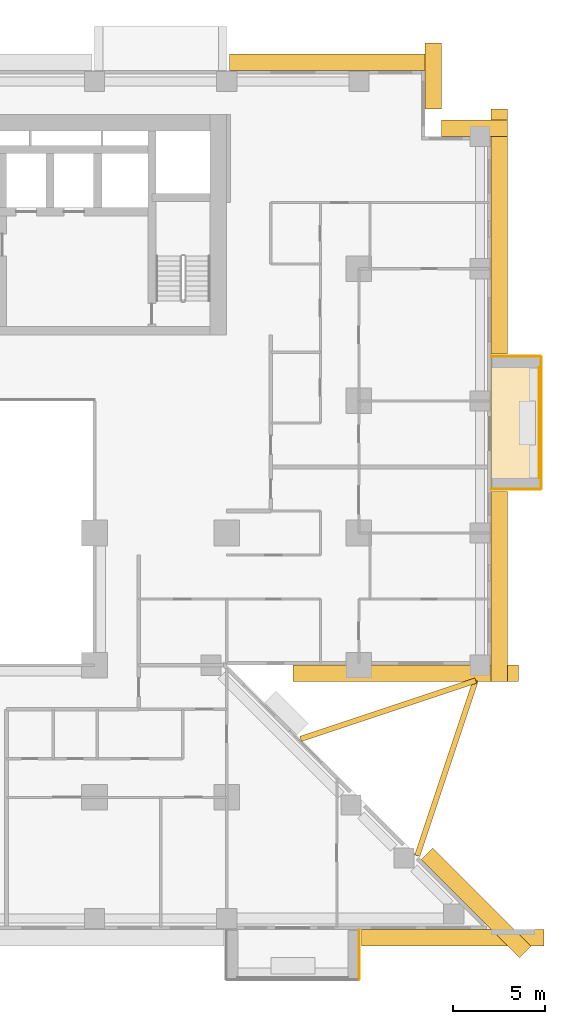
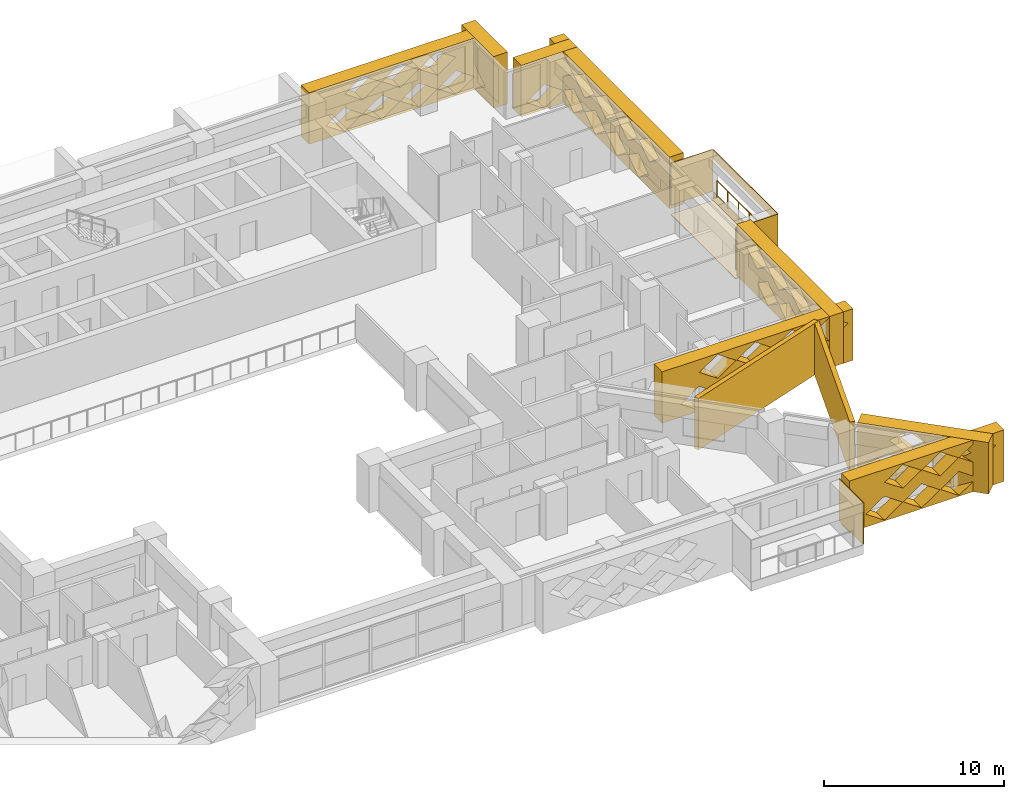
# One storey, part 17 of 17: 16 coverings, 1 railing.
"""IFC4 building model written with IfcOpenShell, lengths in metres."""

from ifc_helpers import new_model, si_unit, direction, frame, origin, origin_2d, place, context, subcontext, project, spatial, polyline, circle, outline, extrude, material, layer, layer_set, type_object, element, save


model = new_model("IFC4")

# Units and contexts
model_context = context("Model", 3, precision=1e-05, world=origin(), true_north=direction((0.0, 1.0)))
body_context = subcontext(model_context, "Body", "Model", "MODEL_VIEW")
ifc_project = project(units=[si_unit("LENGTHUNIT", "METRE"), si_unit("AREAUNIT", "SQUARE_METRE"), si_unit("VOLUMEUNIT", "CUBIC_METRE"), si_unit("PLANEANGLEUNIT", "RADIAN"), si_unit("MASSUNIT", "GRAM", prefix="KILO")], contexts=[model_context])

# Site, building, storey
site_placement = place(None, origin())
site = spatial("IfcSite", under=ifc_project, at=site_placement, CompositionType="ELEMENT")
building_placement = place(site_placement, origin())
building = spatial("IfcBuilding", under=site, at=building_placement, Name="Saffron Iwan Residences", CompositionType="ELEMENT")
storey_placement = place(building_placement, frame((0.0, 0.0, 55.0)))
storey = spatial("IfcBuildingStorey", under=building, at=storey_placement, Name="L13", CompositionType="ELEMENT", Elevation=55.0)

# Railing
ifc_material_1 = material(Name="Stainless steel 316", Category="steel")
railing_type = type_object("IfcRailingType", Name="BALCONY GUARD 1150", PredefinedType="GUARDRAIL", material=ifc_material_1)
railing_placement = place(storey_placement, frame((89.02490234375, 58.199951171875, 0.0)))
element("IfcRailing", 1, at=railing_placement, inside=storey, type_object=railing_type, Name="Balcony guard L13 F2-0", PredefinedType="GUARDRAIL", context=body_context, shape_type="SweptSolid", body=[
    extrude(circle(Radius=0.02392578125, at=origin_2d()), frame((0.0, 0.0, 1.1259765625), z_axis=(0.0, 1.0, 0.0), x_axis=(-1.0, 0.0, 0.0)), (0.0, 0.0, 1.0), 6.0),
    extrude(circle(Radius=0.02099609375, at=origin_2d()), origin(), (0.0, 0.0, 1.0), 1.101806640625),
    extrude(circle(Radius=0.02099609375, at=origin_2d()), frame((0.0, 1.199951171875, 0.0)), (0.0, 0.0, 1.0), 1.101806640625),
    extrude(circle(Radius=0.02099609375, at=origin_2d()), frame((0.0, 2.39990234375, 0.0)), (0.0, 0.0, 1.0), 1.101806640625),
    extrude(circle(Radius=0.02099609375, at=origin_2d()), frame((0.0, 3.60009765625, 0.0)), (0.0, 0.0, 1.0), 1.101806640625),
    extrude(circle(Radius=0.02099609375, at=origin_2d()), frame((0.0, 4.800048828125, 0.0)), (0.0, 0.0, 1.0), 1.101806640625),
    extrude(circle(Radius=0.02099609375, at=origin_2d()), frame((0.0, 6.0, 0.0)), (0.0, 0.0, 1.0), 1.101806640625),
])

# Coverings
ifc_material_2 = material(Name="Precast concrete C40/50 white painted", Category="concrete")
ifc_layer_1 = layer(ifc_material_2, 0.050048828125)
ifc_layer_set_1 = layer_set([ifc_layer_1], Name="Precast concrete C40/50 white painted")
covering_type_1 = type_object("IfcCoveringType", Name="FRAME SKIN PRECAST WHITE 50", PredefinedType="CLADDING", material=ifc_layer_set_1)
for number, where, name in (
    (2, (0.0, 0.0, -0.60009765625), "Frame skin slab edge L13 F2-0"),
    (3, (0.0, 0.0, 2.25), "Frame skin fascia L13 F2-0"),
):
    element("IfcCovering", number, at=place(storey_placement, frame(where)), inside=storey, type_object=covering_type_1, Name=name, PredefinedType="CLADDING", context=body_context, shape_type="SweptSolid", body=[
        extrude(outline(polyline([(89.14990234375, 57.60009765625), (89.14990234375, 64.800048828125), (89.10009765625, 64.800048828125), (89.10009765625, 57.60009765625), (89.14990234375, 57.60009765625)])), origin(), (0.0, 0.0, 1.0), 0.60009765625),
    ])
covering_1_placement = place(storey_placement, frame((0.0, 0.0, -0.64990234375)))
element("IfcCovering", 4, at=covering_1_placement, inside=storey, type_object=covering_type_1, Name="Frame skin soffit L13 F2-0", PredefinedType="CLADDING", context=body_context, shape_type="SweptSolid", body=[
    extrude(outline(polyline([(89.10009765625, 57.60009765625), (89.10009765625, 64.800048828125), (86.39990234375, 64.800048828125), (86.39990234375, 57.60009765625), (89.10009765625, 57.60009765625)])), origin(), (0.0, 0.0, 1.0), 0.0498046875),
])
covering_2_placement = place(storey_placement, origin())
element("IfcCovering", 5, at=covering_2_placement, inside=storey, type_object=covering_type_1, Name="Frame skin fin L13 F2-0a", PredefinedType="CLADDING", context=body_context, shape_type="SweptSolid", body=[
    extrude(outline(polyline([(89.10009765625, 57.550048828125), (89.10009765625, 57.60009765625), (86.39990234375, 57.60009765625), (86.39990234375, 57.550048828125), (89.10009765625, 57.550048828125)])), origin(), (0.0, 0.0, 1.0), 2.85009765625),
])
covering_3_placement = place(storey_placement, origin())
element("IfcCovering", 6, at=covering_3_placement, inside=storey, type_object=covering_type_1, Name="Frame skin fin L13 F2-0b", PredefinedType="CLADDING", context=body_context, shape_type="SweptSolid", body=[
    extrude(outline(polyline([(89.10009765625, 64.800048828125), (89.10009765625, 64.85009765625), (86.39990234375, 64.85009765625), (86.39990234375, 64.800048828125), (89.10009765625, 64.800048828125)])), origin(), (0.0, 0.0, 1.0), 2.85009765625),
])
covering_4_placement = place(storey_placement, origin())
element("IfcCovering", 7, at=covering_4_placement, inside=storey, type_object=covering_type_1, Name="Frame skin fin L13 11-1b", PredefinedType="CLADDING", context=body_context, shape_type="SweptSolid", body=[
    extrude(outline(polyline([(79.199951171875, 30.89990234375), (79.25, 30.89990234375), (79.25, 33.60009765625), (79.199951171875, 33.60009765625), (79.199951171875, 30.89990234375)])), origin(), (0.0, 0.0, 1.0), 2.85009765625),
])
ifc_material_3 = material(Name="Precast concrete C40/50", Category="concrete")
covering_type_2 = type_object("IfcCoveringType", Name="OUTER SKIN LATTICE SCREEN", PredefinedType="CLADDING", material=ifc_material_3)
covering_5_placement = place(storey_placement, frame((87.939453125, 32.060546875, -0.320068359375), z_axis=(0.706971125213, 0.70724241114, 0.0), x_axis=(-0.70724241114, 0.706971125213, 0.0)))
element("IfcCovering", 8, at=covering_5_placement, inside=storey, type_object=covering_type_2, Name="OUTER SKIN lattice screen L13 F0.0", PredefinedType="CLADDING", context=body_context, shape_type="SweptSolid", body=[
    extrude(outline(polyline([(0.0, 0.0), (7.559326171875, 0.0), (7.559326171875, 3.5), (0.0, 3.5), (0.0, 0.0)]), holes=[polyline([(2.197021484375, 0.875), (3.377197265625, 0.06005859375), (4.55712890625, 0.875), (3.377197265625, 1.68994140625), (2.197021484375, 0.875)]), polyline([(4.59716796875, 0.875), (5.777099609375, 0.06005859375), (6.95703125, 0.875), (5.777099609375, 1.68994140625), (4.59716796875, 0.875)]), polyline([(0.9970703125, 2.625), (2.177001953125, 1.81005859375), (3.357177734375, 2.625), (2.177001953125, 3.43994140625), (0.9970703125, 2.625)]), polyline([(3.397216796875, 2.625), (4.5771484375, 1.81005859375), (5.757080078125, 2.625), (4.5771484375, 3.43994140625), (3.397216796875, 2.625)])]), origin(), (0.0, 0.0, 1.0), 0.89990234375),
])
covering_6_placement = place(storey_placement, frame((75.6171875, 48.0, -0.320068359375), z_axis=(0.0, -1.0, 0.0), x_axis=(1.0, 0.0, 0.0)))
element("IfcCovering", 9, at=covering_6_placement, inside=storey, type_object=covering_type_2, Name="OUTER SKIN lattice screen L13 F1.0", PredefinedType="CLADDING", context=body_context, shape_type="SweptSolid", body=[
    extrude(outline(polyline([(0.0, 0.0), (12.282958984375, 0.0), (12.282958984375, 3.5), (0.0, 3.5), (0.0, 0.0)]), holes=[polyline([(1.202880859375, 0.875), (2.3828125, 0.06005859375), (3.56298828125, 0.875), (2.3828125, 1.68994140625), (1.202880859375, 0.875)]), polyline([(3.602783203125, 0.875), (4.782958984375, 0.06005859375), (5.962890625, 0.875), (4.782958984375, 1.68994140625), (3.602783203125, 0.875)]), polyline([(6.0029296875, 0.875), (7.182861328125, 0.06005859375), (8.36279296875, 0.875), (7.182861328125, 1.68994140625), (6.0029296875, 0.875)]), polyline([(8.40283203125, 0.875), (9.5830078125, 0.06005859375), (10.762939453125, 0.875), (9.5830078125, 1.68994140625), (8.40283203125, 0.875)]), polyline([(2.40283203125, 2.625), (3.5830078125, 1.81005859375), (4.762939453125, 2.625), (3.5830078125, 3.43994140625), (2.40283203125, 2.625)]), polyline([(4.802978515625, 2.625), (5.98291015625, 1.81005859375), (7.162841796875, 2.625), (5.98291015625, 3.43994140625), (4.802978515625, 2.625)]), polyline([(7.202880859375, 2.625), (8.3828125, 1.81005859375), (9.56298828125, 2.625), (8.3828125, 3.43994140625), (7.202880859375, 2.625)]), polyline([(9.602783203125, 2.625), (10.782958984375, 1.81005859375), (11.962890625, 2.625), (10.782958984375, 3.43994140625), (9.602783203125, 2.625)])]), origin(), (0.0, 0.0, 1.0), 0.89990234375),
])
covering_7_placement = place(storey_placement, frame((86.39990234375, 47.10009765625, -0.320068359375), z_axis=(1.0, 0.0, 0.0), x_axis=(0.0, 1.0, 0.0)))
element("IfcCovering", 10, at=covering_7_placement, inside=storey, type_object=covering_type_2, Name="OUTER SKIN lattice screen L13 F2.0", PredefinedType="CLADDING", context=body_context, shape_type="SweptSolid", body=[
    extrude(outline(polyline([(0.0, 0.0), (10.35009765625, 0.0), (10.35009765625, 3.5), (0.0, 3.5), (0.0, 0.0)]), holes=[polyline([(0.919921875, 0.875), (2.10009765625, 0.06005859375), (3.280029296875, 0.875), (2.10009765625, 1.68994140625), (0.919921875, 0.875)]), polyline([(3.320068359375, 0.875), (4.5, 0.06005859375), (5.679931640625, 0.875), (4.5, 1.68994140625), (3.320068359375, 0.875)]), polyline([(5.719970703125, 0.875), (6.89990234375, 0.06005859375), (8.080078125, 0.875), (6.89990234375, 1.68994140625), (5.719970703125, 0.875)]), polyline([(2.1201171875, 2.625), (3.300048828125, 1.81005859375), (4.47998046875, 2.625), (3.300048828125, 3.43994140625), (2.1201171875, 2.625)]), polyline([(4.52001953125, 2.625), (5.699951171875, 1.81005859375), (6.8798828125, 2.625), (5.699951171875, 3.43994140625), (4.52001953125, 2.625)]), polyline([(6.919921875, 2.625), (8.10009765625, 1.81005859375), (9.280029296875, 2.625), (8.10009765625, 3.43994140625), (6.919921875, 2.625)])]), origin(), (0.0, 0.0, 1.0), 0.900146484375),
])
covering_8_placement = place(storey_placement, frame((86.39990234375, 64.949951171875, -0.320068359375), z_axis=(1.0, 0.0, 0.0), x_axis=(0.0, 1.0, 0.0)))
element("IfcCovering", 11, at=covering_8_placement, inside=storey, type_object=covering_type_2, Name="OUTER SKIN lattice screen L13 F2.1", PredefinedType="CLADDING", context=body_context, shape_type="SweptSolid", body=[
    extrude(outline(polyline([(0.0, 0.0), (13.35009765625, 0.0), (13.35009765625, 3.5), (0.0, 3.5), (0.0, 0.0)]), holes=[polyline([(2.27001953125, 0.875), (3.449951171875, 0.06005859375), (4.6298828125, 0.875), (3.449951171875, 1.68994140625), (2.27001953125, 0.875)]), polyline([(4.669921875, 0.875), (5.85009765625, 0.06005859375), (7.030029296875, 0.875), (5.85009765625, 1.68994140625), (4.669921875, 0.875)]), polyline([(7.070068359375, 0.875), (8.25, 0.06005859375), (9.429931640625, 0.875), (8.25, 1.68994140625), (7.070068359375, 0.875)]), polyline([(9.469970703125, 0.875), (10.64990234375, 0.06005859375), (11.830078125, 0.875), (10.64990234375, 1.68994140625), (9.469970703125, 0.875)]), polyline([(1.070068359375, 2.625), (2.25, 1.81005859375), (3.429931640625, 2.625), (2.25, 3.43994140625), (1.070068359375, 2.625)]), polyline([(3.469970703125, 2.625), (4.64990234375, 1.81005859375), (5.830078125, 2.625), (4.64990234375, 3.43994140625), (3.469970703125, 2.625)]), polyline([(5.8701171875, 2.625), (7.050048828125, 1.81005859375), (8.22998046875, 2.625), (7.050048828125, 3.43994140625), (5.8701171875, 2.625)]), polyline([(8.27001953125, 2.625), (9.449951171875, 1.81005859375), (10.6298828125, 2.625), (9.449951171875, 3.43994140625), (8.27001953125, 2.625)]), polyline([(10.669921875, 2.625), (11.85009765625, 1.81005859375), (13.030029296875, 2.625), (11.85009765625, 3.43994140625), (10.669921875, 2.625)])]), origin(), (0.0, 0.0, 1.0), 0.900146484375),
])
for number, where, z_axis, x_axis, name in (
    (12, (87.300048828125, 76.800048828125, -0.320068359375), (0.0, 1.0, 0.0), (-1.0, 0.0, 0.0), "OUTER SKIN lattice screen L13 F3.0"),
    (13, (82.800048828125, 78.300048828125, -0.320068359375), (1.0, 0.0, 0.0), (0.0, 1.0, 0.0), "OUTER SKIN lattice screen L13 F4.0"),
):
    element("IfcCovering", number, at=place(storey_placement, frame(where, z_axis=z_axis, x_axis=x_axis)), inside=storey, type_object=covering_type_2, Name=name, PredefinedType="CLADDING", context=body_context, shape_type="SweptSolid", body=[
        extrude(outline(polyline([(0.0, 0.0), (3.60009765625, 0.0), (3.60009765625, 3.5), (0.0, 3.5), (0.0, 0.0)]), holes=[polyline([(0.919921875, 0.875), (2.10009765625, 0.06005859375), (3.280029296875, 0.875), (2.10009765625, 1.68994140625), (0.919921875, 0.875)])]), origin(), (0.0, 0.0, 1.0), 0.89990234375),
    ])
covering_9_placement = place(storey_placement, frame((83.699951171875, 80.39990234375, -0.320068359375), z_axis=(0.0, 1.0, 0.0), x_axis=(-1.0, 0.0, 0.0)))
element("IfcCovering", 14, at=covering_9_placement, inside=storey, type_object=covering_type_2, Name="OUTER SKIN lattice screen L13 F5.0", PredefinedType="CLADDING", context=body_context, shape_type="SweptSolid", body=[
    extrude(outline(polyline([(0.0, 0.0), (11.550048828125, 0.0), (11.550048828125, 3.5), (0.0, 3.5), (0.0, 0.0)]), holes=[polyline([(0.919921875, 0.875), (2.10009765625, 0.06005859375), (3.280029296875, 0.875), (2.10009765625, 1.68994140625), (0.919921875, 0.875)]), polyline([(3.320068359375, 0.875), (4.5, 0.06005859375), (5.679931640625, 0.875), (4.5, 1.68994140625), (3.320068359375, 0.875)]), polyline([(5.719970703125, 0.875), (6.89990234375, 0.06005859375), (8.080078125, 0.875), (6.89990234375, 1.68994140625), (5.719970703125, 0.875)]), polyline([(8.1201171875, 0.875), (9.300048828125, 0.06005859375), (10.47998046875, 0.875), (9.300048828125, 1.68994140625), (8.1201171875, 0.875)]), polyline([(2.1201171875, 2.625), (3.300048828125, 1.81005859375), (4.47998046875, 2.625), (3.300048828125, 3.43994140625), (2.1201171875, 2.625)]), polyline([(4.52001953125, 2.625), (5.699951171875, 1.81005859375), (6.8798828125, 2.625), (5.699951171875, 3.43994140625), (4.52001953125, 2.625)]), polyline([(6.919921875, 2.625), (8.10009765625, 1.81005859375), (9.280029296875, 2.625), (8.10009765625, 3.43994140625), (6.919921875, 2.625)])]), origin(), (0.0, 0.0, 1.0), 0.900146484375),
])
covering_10_placement = place(storey_placement, frame((79.35009765625, 33.60009765625, -0.320068359375), z_axis=(0.0, -1.0, 0.0), x_axis=(1.0, 0.0, 0.0)))
element("IfcCovering", 15, at=covering_10_placement, inside=storey, type_object=covering_type_2, Name="OUTER SKIN lattice screen L13 F11.3", PredefinedType="CLADDING", context=body_context, shape_type="SweptSolid", body=[
    extrude(outline(polyline([(0.0, 0.0), (9.947021484375, 0.0), (9.947021484375, 3.5), (0.0, 3.5), (0.0, 0.0)]), holes=[polyline([(1.070068359375, 0.875), (2.25, 0.06005859375), (3.429931640625, 0.875), (2.25, 1.68994140625), (1.070068359375, 0.875)]), polyline([(3.469970703125, 0.875), (4.64990234375, 0.06005859375), (5.830078125, 0.875), (4.64990234375, 1.68994140625), (3.469970703125, 0.875)]), polyline([(5.8701171875, 0.875), (7.050048828125, 0.06005859375), (8.22998046875, 0.875), (7.050048828125, 1.68994140625), (5.8701171875, 0.875)]), polyline([(2.27001953125, 2.625), (3.449951171875, 1.81005859375), (4.6298828125, 2.625), (3.449951171875, 3.43994140625), (2.27001953125, 2.625)]), polyline([(4.669921875, 2.625), (5.85009765625, 1.81005859375), (7.030029296875, 2.625), (5.85009765625, 3.43994140625), (4.669921875, 2.625)]), polyline([(7.070068359375, 2.625), (8.25, 1.81005859375), (9.429931640625, 2.625), (8.25, 3.43994140625), (7.070068359375, 2.625)])]), origin(), (0.0, 0.0, 1.0), 0.900146484375),
])
ifc_layer_2 = layer(ifc_material_2, 0.300048828125)
ifc_layer_set_2 = layer_set([ifc_layer_2], Name="Precast concrete C40/50 white painted")
covering_type_3 = type_object("IfcCoveringType", Name="PROW NOSE BLADE PRECAST WHITE", PredefinedType="CLADDING", material=ifc_layer_set_2)
covering_11_placement = place(storey_placement, frame((0.0, 0.0, -0.320068359375)))
element("IfcCovering", 16, at=covering_11_placement, inside=storey, type_object=covering_type_3, Name="Prow nose blade L13 a", PredefinedType="CLADDING", context=body_context, shape_type="SweptSolid", body=[
    extrude(outline(polyline([(82.5244140625, 37.570556640625), (85.706298828125, 47.116455078125), (85.421630859375, 47.21142578125), (82.23974609375, 37.66552734375), (82.5244140625, 37.570556640625)])), origin(), (0.0, 0.0, 1.0), 3.5),
])
covering_12_placement = place(storey_placement, frame((0.0, 0.0, -0.320068359375)))
element("IfcCovering", 17, at=covering_12_placement, inside=storey, type_object=covering_type_3, Name="Prow nose blade L13 b", PredefinedType="CLADDING", context=body_context, shape_type="SweptSolid", body=[
    extrude(outline(polyline([(76.0654296875, 43.839599609375), (85.611328125, 47.021728515625), (85.5166015625, 47.306396484375), (75.970703125, 44.124267578125), (76.0654296875, 43.839599609375)])), origin(), (0.0, 0.0, 1.0), 3.5),
])

save(model, "model.ifc")
